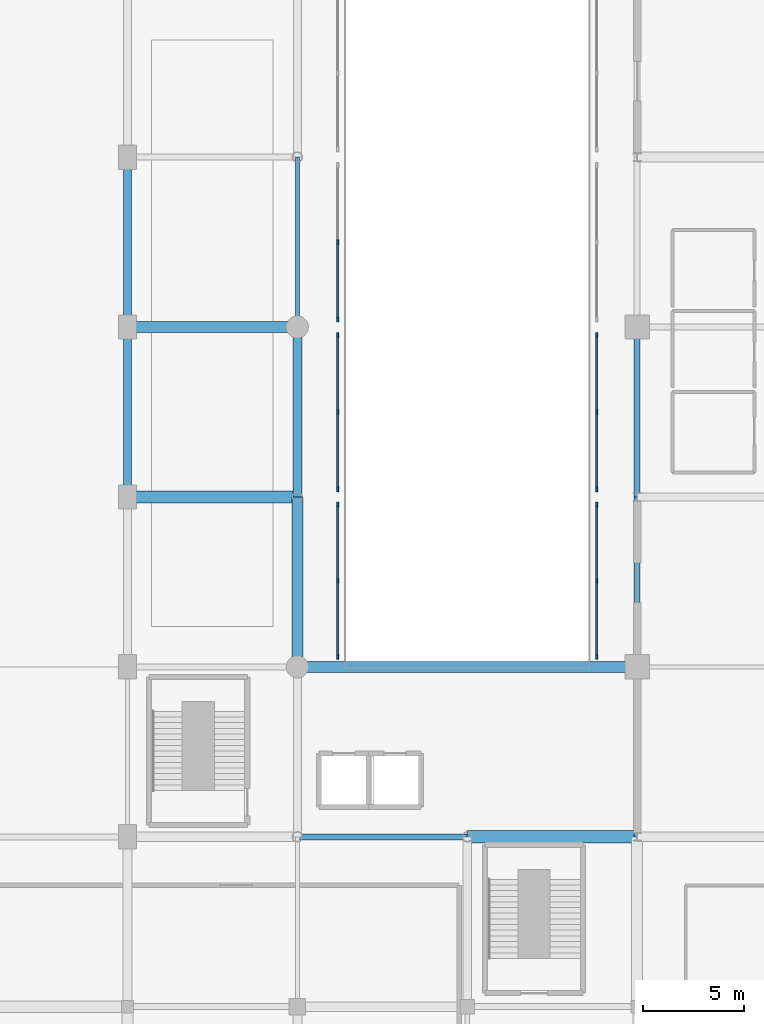
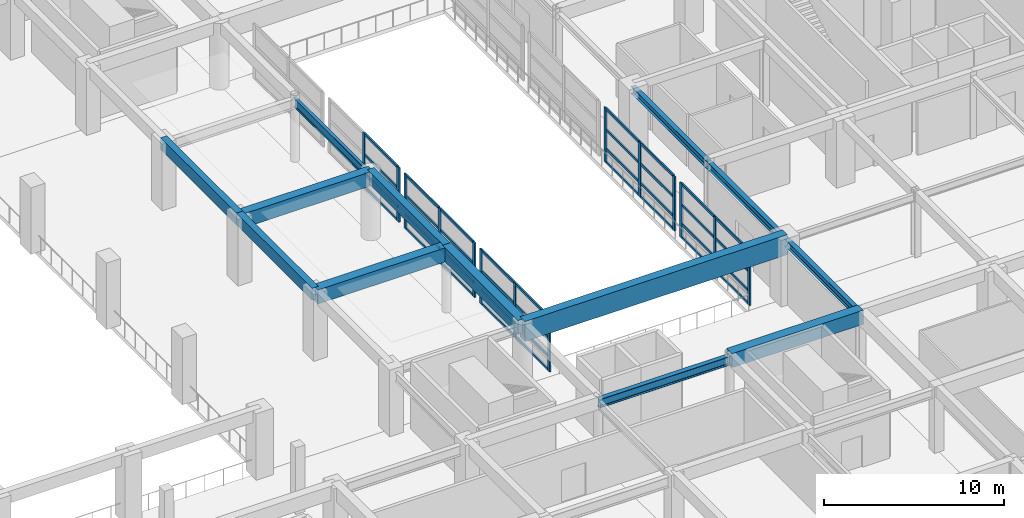
# One storey, part 20 of 65: 50 members, 13 beams, 5 elements without a shape of their own.
"""IFC4 building model written with IfcOpenShell, lengths in metres."""

from ifc_helpers import new_model, si_unit, direction, frame, origin, origin_2d, place, context, subcontext, project, spatial, rectangle, i_section, extrude, material, material_profile, profile_set, type_object, element, aggregate, save


model = new_model("IFC4")

# Units and contexts
model_context = context("Model", 3, precision=1e-05, world=origin(), true_north=direction((0.0, 1.0)))
body_context = subcontext(model_context, "Body", "Model", "MODEL_VIEW")
ifc_project = project(units=[si_unit("LENGTHUNIT", "METRE"), si_unit("AREAUNIT", "SQUARE_METRE"), si_unit("VOLUMEUNIT", "CUBIC_METRE"), si_unit("PLANEANGLEUNIT", "RADIAN"), si_unit("MASSUNIT", "GRAM", prefix="KILO")], contexts=[model_context])

# Site, building, storey
site_placement = place(None, origin())
site = spatial("IfcSite", under=ifc_project, at=site_placement, CompositionType="ELEMENT")
building_placement = place(site_placement, origin())
building = spatial("IfcBuilding", under=site, at=building_placement, Name="Xuanlan Plaza Opera House", CompositionType="ELEMENT")
storey_placement = place(building_placement, frame((0.0, 0.0, 5.39990234375)))
storey = spatial("IfcBuildingStorey", under=building, at=storey_placement, Name="L01", CompositionType="ELEMENT", Elevation=5.39990234375)

# Curtain wall, members
ifc_material_1 = material(Name="Anodised Aluminium 6063-T6 and Low-E Glass", Category="aluminium")
curtain_wall_type = type_object("IfcCurtainWallType", Name="ENV-CW-CW-06", PredefinedType="USERDEFINED", material=ifc_material_1)
curtain_wall_1_placement = place(storey_placement, origin())
curtain_wall_1 = element("IfcCurtainWall", 1, at=curtain_wall_1_placement, inside=storey, type_object=curtain_wall_type, Name="Acoustic Glazed Wall ATR-L01-11", ObjectType="ACOUSTIC GLAZED WALL", PredefinedType="USERDEFINED")
ifc_material_2 = material(Name="Anodised Aluminium 6063-T6", Category="aluminium")
ifc_material_profile_1 = material_profile(ifc_material_2, rectangle(XDim=0.090087890625, YDim=0.25, at=origin_2d()), Name="ALU-M 90x250")
ifc_profile_set_1 = profile_set([ifc_material_profile_1], Name="Anodised Aluminium 6063-T6")
member_type_1 = type_object("IfcMemberType", Name="ENV-CWM-05", PredefinedType="MULLION", material=ifc_profile_set_1)
member_1_placement = place(storey_placement, frame((111.199951171875, 42.4951171875, 0.0), z_axis=(0.0, 0.0, 1.0), x_axis=(-1.0, 0.0, 0.0)))
member_1 = element("IfcMember", 2, at=member_1_placement, type_object=member_type_1, Name="CW-06 mullion 1", PredefinedType="MULLION", context=body_context, shape_type="SweptSolid", body=[
    extrude(rectangle(XDim=0.090087890625, YDim=0.25, at=origin_2d()), origin(), (0.0, 0.0, 1.0), 3.68017578125),
])
member_2_placement = place(storey_placement, frame((111.199951171875, 46.25, 0.0), z_axis=(0.0, 0.0, 1.0), x_axis=(-1.0, 0.0, 0.0)))
member_2 = element("IfcMember", 3, at=member_2_placement, type_object=member_type_1, Name="CW-06 mullion 2", PredefinedType="MULLION", context=body_context, shape_type="SweptSolid", body=[
    extrude(rectangle(XDim=0.090087890625, YDim=0.25, at=origin_2d()), origin(), (0.0, 0.0, 1.0), 3.68017578125),
])
member_3_placement = place(storey_placement, frame((111.199951171875, 50.0048828125, 0.0), z_axis=(0.0, 0.0, 1.0), x_axis=(-1.0, 0.0, 0.0)))
member_3 = element("IfcMember", 4, at=member_3_placement, type_object=member_type_1, Name="CW-06 mullion 3", PredefinedType="MULLION", context=body_context, shape_type="SweptSolid", body=[
    extrude(rectangle(XDim=0.090087890625, YDim=0.25, at=origin_2d()), origin(), (0.0, 0.0, 1.0), 3.68017578125),
])

curtain_wall_2_placement = place(storey_placement, origin())
curtain_wall_2 = element("IfcCurtainWall", 5, at=curtain_wall_2_placement, inside=storey, type_object=curtain_wall_type, Name="Acoustic Glazed Wall ATR-L01-12", ObjectType="ACOUSTIC GLAZED WALL", PredefinedType="USERDEFINED")
member_4_placement = place(storey_placement, frame((111.199951171875, 50.794921875, 0.0), z_axis=(0.0, 0.0, 1.0), x_axis=(-1.0, 0.0, 0.0)))
member_4 = element("IfcMember", 6, at=member_4_placement, type_object=member_type_1, Name="CW-06 mullion 1", PredefinedType="MULLION", context=body_context, shape_type="SweptSolid", body=[
    extrude(rectangle(XDim=0.090087890625, YDim=0.25, at=origin_2d()), origin(), (0.0, 0.0, 1.0), 3.68017578125),
])
member_5_placement = place(storey_placement, frame((111.199951171875, 54.60009765625, 0.0), z_axis=(0.0, 0.0, 1.0), x_axis=(-1.0, 0.0, 0.0)))
member_5 = element("IfcMember", 7, at=member_5_placement, type_object=member_type_1, Name="CW-06 mullion 2", PredefinedType="MULLION", context=body_context, shape_type="SweptSolid", body=[
    extrude(rectangle(XDim=0.090087890625, YDim=0.25, at=origin_2d()), origin(), (0.0, 0.0, 1.0), 3.68017578125),
])
member_6_placement = place(storey_placement, frame((111.199951171875, 58.405029296875, 0.0), z_axis=(0.0, 0.0, 1.0), x_axis=(-1.0, 0.0, 0.0)))
member_6 = element("IfcMember", 8, at=member_6_placement, type_object=member_type_1, Name="CW-06 mullion 3", PredefinedType="MULLION", context=body_context, shape_type="SweptSolid", body=[
    extrude(rectangle(XDim=0.090087890625, YDim=0.25, at=origin_2d()), origin(), (0.0, 0.0, 1.0), 3.68017578125),
])

curtain_wall_3_placement = place(storey_placement, origin())
curtain_wall_3 = element("IfcCurtainWall", 9, at=curtain_wall_3_placement, inside=storey, type_object=curtain_wall_type, Name="Acoustic Glazed Wall ATR-L01-13", ObjectType="ACOUSTIC GLAZED WALL", PredefinedType="USERDEFINED")
member_7_placement = place(storey_placement, frame((111.199951171875, 59.195068359375, 0.0), z_axis=(0.0, 0.0, 1.0), x_axis=(-1.0, 0.0, 0.0)))
member_7 = element("IfcMember", 10, at=member_7_placement, type_object=member_type_1, Name="CW-06 mullion 1", PredefinedType="MULLION", context=body_context, shape_type="SweptSolid", body=[
    extrude(rectangle(XDim=0.090087890625, YDim=0.25, at=origin_2d()), origin(), (0.0, 0.0, 1.0), 3.68017578125),
])
member_8_placement = place(storey_placement, frame((111.199951171875, 63.0, 0.0), z_axis=(0.0, 0.0, 1.0), x_axis=(-1.0, 0.0, 0.0)))
member_8 = element("IfcMember", 11, at=member_8_placement, type_object=member_type_1, Name="CW-06 mullion 2", PredefinedType="MULLION", context=body_context, shape_type="SweptSolid", body=[
    extrude(rectangle(XDim=0.090087890625, YDim=0.25, at=origin_2d()), origin(), (0.0, 0.0, 1.0), 3.68017578125),
])

curtain_wall_4_placement = place(storey_placement, origin())
curtain_wall_4 = element("IfcCurtainWall", 12, at=curtain_wall_4_placement, inside=storey, type_object=curtain_wall_type, Name="Acoustic Glazed Wall ATR-L01-21", ObjectType="ACOUSTIC GLAZED WALL", PredefinedType="USERDEFINED")
member_9_placement = place(storey_placement, frame((124.0, 42.4951171875, 0.0), z_axis=(0.0, 0.0, 1.0), x_axis=(-1.0, 0.0, 0.0)))
member_9 = element("IfcMember", 13, at=member_9_placement, type_object=member_type_1, Name="CW-06 mullion 1", PredefinedType="MULLION", context=body_context, shape_type="SweptSolid", body=[
    extrude(rectangle(XDim=0.090087890625, YDim=0.25, at=origin_2d()), origin(), (0.0, 0.0, 1.0), 3.68017578125),
])
member_10_placement = place(storey_placement, frame((124.0, 46.25, 0.0), z_axis=(0.0, 0.0, 1.0), x_axis=(-1.0, 0.0, 0.0)))
member_10 = element("IfcMember", 14, at=member_10_placement, type_object=member_type_1, Name="CW-06 mullion 2", PredefinedType="MULLION", context=body_context, shape_type="SweptSolid", body=[
    extrude(rectangle(XDim=0.090087890625, YDim=0.25, at=origin_2d()), origin(), (0.0, 0.0, 1.0), 3.68017578125),
])
member_11_placement = place(storey_placement, frame((124.0, 50.0048828125, 0.0), z_axis=(0.0, 0.0, 1.0), x_axis=(-1.0, 0.0, 0.0)))
member_11 = element("IfcMember", 15, at=member_11_placement, type_object=member_type_1, Name="CW-06 mullion 3", PredefinedType="MULLION", context=body_context, shape_type="SweptSolid", body=[
    extrude(rectangle(XDim=0.090087890625, YDim=0.25, at=origin_2d()), origin(), (0.0, 0.0, 1.0), 3.68017578125),
])

curtain_wall_5_placement = place(storey_placement, origin())
curtain_wall_5 = element("IfcCurtainWall", 16, at=curtain_wall_5_placement, inside=storey, type_object=curtain_wall_type, Name="Acoustic Glazed Wall ATR-L01-22", ObjectType="ACOUSTIC GLAZED WALL", PredefinedType="USERDEFINED")
member_12_placement = place(storey_placement, frame((124.0, 50.794921875, 0.0), z_axis=(0.0, 0.0, 1.0), x_axis=(-1.0, 0.0, 0.0)))
member_12 = element("IfcMember", 17, at=member_12_placement, type_object=member_type_1, Name="CW-06 mullion 1", PredefinedType="MULLION", context=body_context, shape_type="SweptSolid", body=[
    extrude(rectangle(XDim=0.090087890625, YDim=0.25, at=origin_2d()), origin(), (0.0, 0.0, 1.0), 3.68017578125),
])
member_13_placement = place(storey_placement, frame((124.0, 54.60009765625, 0.0), z_axis=(0.0, 0.0, 1.0), x_axis=(-1.0, 0.0, 0.0)))
member_13 = element("IfcMember", 18, at=member_13_placement, type_object=member_type_1, Name="CW-06 mullion 2", PredefinedType="MULLION", context=body_context, shape_type="SweptSolid", body=[
    extrude(rectangle(XDim=0.090087890625, YDim=0.25, at=origin_2d()), origin(), (0.0, 0.0, 1.0), 3.68017578125),
])
member_14_placement = place(storey_placement, frame((124.0, 58.405029296875, 0.0), z_axis=(0.0, 0.0, 1.0), x_axis=(-1.0, 0.0, 0.0)))
member_14 = element("IfcMember", 19, at=member_14_placement, type_object=member_type_1, Name="CW-06 mullion 3", PredefinedType="MULLION", context=body_context, shape_type="SweptSolid", body=[
    extrude(rectangle(XDim=0.090087890625, YDim=0.25, at=origin_2d()), origin(), (0.0, 0.0, 1.0), 3.68017578125),
])

# Member
ifc_material_profile_2 = material_profile(ifc_material_2, rectangle(XDim=0.090087890625, YDim=0.179931640625, at=origin_2d()), Name="ALU-T 90x180")
ifc_profile_set_2 = profile_set([ifc_material_profile_2], Name="Anodised Aluminium 6063-T6")
member_type_2 = type_object("IfcMemberType", Name="ENV-CWT-05", PredefinedType="USERDEFINED", material=ifc_profile_set_2)
member_15_placement = place(storey_placement, frame((111.199951171875, 42.5400390625, 0.045166015625), z_axis=(0.0, 1.0, 0.0), x_axis=(-1.0, 0.0, 0.0)))
member_15 = element("IfcMember", 20, at=member_15_placement, type_object=member_type_2, Name="CW-06 transom 1.1", ObjectType="TRANSOM", PredefinedType="USERDEFINED", context=body_context, shape_type="SweptSolid", body=[
    extrude(rectangle(XDim=0.090087890625, YDim=0.179931640625, at=origin_2d()), origin(), (0.0, 0.0, 1.0), 3.6650390625),
])

member_16_placement = place(storey_placement, frame((111.199951171875, 42.5400390625, 0.9501953125), z_axis=(0.0, 1.0, 0.0), x_axis=(-1.0, 0.0, 0.0)))
member_16 = element("IfcMember", 21, at=member_16_placement, type_object=member_type_2, Name="CW-06 transom 1.2", ObjectType="TRANSOM", PredefinedType="USERDEFINED", context=body_context, shape_type="SweptSolid", body=[
    extrude(rectangle(XDim=0.090087890625, YDim=0.179931640625, at=origin_2d()), origin(), (0.0, 0.0, 1.0), 3.6650390625),
])

member_17_placement = place(storey_placement, frame((111.199951171875, 42.5400390625, 2.25), z_axis=(0.0, 1.0, 0.0), x_axis=(-1.0, 0.0, 0.0)))
member_17 = element("IfcMember", 22, at=member_17_placement, type_object=member_type_2, Name="CW-06 transom 1.3", ObjectType="TRANSOM", PredefinedType="USERDEFINED", context=body_context, shape_type="SweptSolid", body=[
    extrude(rectangle(XDim=0.090087890625, YDim=0.179931640625, at=origin_2d()), origin(), (0.0, 0.0, 1.0), 3.6650390625),
])

member_18_placement = place(storey_placement, frame((111.199951171875, 42.5400390625, 3.635009765625), z_axis=(0.0, 1.0, 0.0), x_axis=(-1.0, 0.0, 0.0)))
member_18 = element("IfcMember", 23, at=member_18_placement, type_object=member_type_2, Name="CW-06 transom 1.4", ObjectType="TRANSOM", PredefinedType="USERDEFINED", context=body_context, shape_type="SweptSolid", body=[
    extrude(rectangle(XDim=0.090087890625, YDim=0.179931640625, at=origin_2d()), origin(), (0.0, 0.0, 1.0), 3.6650390625),
])

member_19_placement = place(storey_placement, frame((111.199951171875, 46.294921875, 0.045166015625), z_axis=(0.0, 1.0, 0.0), x_axis=(-1.0, 0.0, 0.0)))
member_19 = element("IfcMember", 24, at=member_19_placement, type_object=member_type_2, Name="CW-06 transom 2.1", ObjectType="TRANSOM", PredefinedType="USERDEFINED", context=body_context, shape_type="SweptSolid", body=[
    extrude(rectangle(XDim=0.090087890625, YDim=0.179931640625, at=origin_2d()), origin(), (0.0, 0.0, 1.0), 3.6650390625),
])

member_20_placement = place(storey_placement, frame((111.199951171875, 46.294921875, 0.9501953125), z_axis=(0.0, 1.0, 0.0), x_axis=(-1.0, 0.0, 0.0)))
member_20 = element("IfcMember", 25, at=member_20_placement, type_object=member_type_2, Name="CW-06 transom 2.2", ObjectType="TRANSOM", PredefinedType="USERDEFINED", context=body_context, shape_type="SweptSolid", body=[
    extrude(rectangle(XDim=0.090087890625, YDim=0.179931640625, at=origin_2d()), origin(), (0.0, 0.0, 1.0), 3.6650390625),
])

member_21_placement = place(storey_placement, frame((111.199951171875, 46.294921875, 2.25), z_axis=(0.0, 1.0, 0.0), x_axis=(-1.0, 0.0, 0.0)))
member_21 = element("IfcMember", 26, at=member_21_placement, type_object=member_type_2, Name="CW-06 transom 2.3", ObjectType="TRANSOM", PredefinedType="USERDEFINED", context=body_context, shape_type="SweptSolid", body=[
    extrude(rectangle(XDim=0.090087890625, YDim=0.179931640625, at=origin_2d()), origin(), (0.0, 0.0, 1.0), 3.6650390625),
])

member_22_placement = place(storey_placement, frame((111.199951171875, 46.294921875, 3.635009765625), z_axis=(0.0, 1.0, 0.0), x_axis=(-1.0, 0.0, 0.0)))
member_22 = element("IfcMember", 27, at=member_22_placement, type_object=member_type_2, Name="CW-06 transom 2.4", ObjectType="TRANSOM", PredefinedType="USERDEFINED", context=body_context, shape_type="SweptSolid", body=[
    extrude(rectangle(XDim=0.090087890625, YDim=0.179931640625, at=origin_2d()), origin(), (0.0, 0.0, 1.0), 3.6650390625),
])

aggregate(curtain_wall_1, [member_1, member_2, member_3, member_15, member_16, member_17, member_18, member_19, member_20, member_21, member_22])

member_23_placement = place(storey_placement, frame((111.199951171875, 50.840087890625, 0.045166015625), z_axis=(0.0, 1.0, 0.0), x_axis=(-1.0, 0.0, 0.0)))
member_23 = element("IfcMember", 28, at=member_23_placement, type_object=member_type_2, Name="CW-06 transom 1.1", ObjectType="TRANSOM", PredefinedType="USERDEFINED", context=body_context, shape_type="SweptSolid", body=[
    extrude(rectangle(XDim=0.090087890625, YDim=0.179931640625, at=origin_2d()), origin(), (0.0, 0.0, 1.0), 3.71484375),
])

member_24_placement = place(storey_placement, frame((111.199951171875, 50.840087890625, 0.9501953125), z_axis=(0.0, 1.0, 0.0), x_axis=(-1.0, 0.0, 0.0)))
member_24 = element("IfcMember", 29, at=member_24_placement, type_object=member_type_2, Name="CW-06 transom 1.2", ObjectType="TRANSOM", PredefinedType="USERDEFINED", context=body_context, shape_type="SweptSolid", body=[
    extrude(rectangle(XDim=0.090087890625, YDim=0.179931640625, at=origin_2d()), origin(), (0.0, 0.0, 1.0), 3.71484375),
])

member_25_placement = place(storey_placement, frame((111.199951171875, 50.840087890625, 2.25), z_axis=(0.0, 1.0, 0.0), x_axis=(-1.0, 0.0, 0.0)))
member_25 = element("IfcMember", 30, at=member_25_placement, type_object=member_type_2, Name="CW-06 transom 1.3", ObjectType="TRANSOM", PredefinedType="USERDEFINED", context=body_context, shape_type="SweptSolid", body=[
    extrude(rectangle(XDim=0.090087890625, YDim=0.179931640625, at=origin_2d()), origin(), (0.0, 0.0, 1.0), 3.71484375),
])

member_26_placement = place(storey_placement, frame((111.199951171875, 50.840087890625, 3.635009765625), z_axis=(0.0, 1.0, 0.0), x_axis=(-1.0, 0.0, 0.0)))
member_26 = element("IfcMember", 31, at=member_26_placement, type_object=member_type_2, Name="CW-06 transom 1.4", ObjectType="TRANSOM", PredefinedType="USERDEFINED", context=body_context, shape_type="SweptSolid", body=[
    extrude(rectangle(XDim=0.090087890625, YDim=0.179931640625, at=origin_2d()), origin(), (0.0, 0.0, 1.0), 3.71484375),
])

member_27_placement = place(storey_placement, frame((111.199951171875, 54.64501953125, 0.045166015625), z_axis=(0.0, 1.0, 0.0), x_axis=(-1.0, 0.0, 0.0)))
member_27 = element("IfcMember", 32, at=member_27_placement, type_object=member_type_2, Name="CW-06 transom 2.1", ObjectType="TRANSOM", PredefinedType="USERDEFINED", context=body_context, shape_type="SweptSolid", body=[
    extrude(rectangle(XDim=0.090087890625, YDim=0.179931640625, at=origin_2d()), origin(), (0.0, 0.0, 1.0), 3.715087890625),
])

member_28_placement = place(storey_placement, frame((111.199951171875, 54.64501953125, 0.9501953125), z_axis=(0.0, 1.0, 0.0), x_axis=(-1.0, 0.0, 0.0)))
member_28 = element("IfcMember", 33, at=member_28_placement, type_object=member_type_2, Name="CW-06 transom 2.2", ObjectType="TRANSOM", PredefinedType="USERDEFINED", context=body_context, shape_type="SweptSolid", body=[
    extrude(rectangle(XDim=0.090087890625, YDim=0.179931640625, at=origin_2d()), origin(), (0.0, 0.0, 1.0), 3.715087890625),
])

member_29_placement = place(storey_placement, frame((111.199951171875, 54.64501953125, 2.25), z_axis=(0.0, 1.0, 0.0), x_axis=(-1.0, 0.0, 0.0)))
member_29 = element("IfcMember", 34, at=member_29_placement, type_object=member_type_2, Name="CW-06 transom 2.3", ObjectType="TRANSOM", PredefinedType="USERDEFINED", context=body_context, shape_type="SweptSolid", body=[
    extrude(rectangle(XDim=0.090087890625, YDim=0.179931640625, at=origin_2d()), origin(), (0.0, 0.0, 1.0), 3.715087890625),
])

member_30_placement = place(storey_placement, frame((111.199951171875, 54.64501953125, 3.635009765625), z_axis=(0.0, 1.0, 0.0), x_axis=(-1.0, 0.0, 0.0)))
member_30 = element("IfcMember", 35, at=member_30_placement, type_object=member_type_2, Name="CW-06 transom 2.4", ObjectType="TRANSOM", PredefinedType="USERDEFINED", context=body_context, shape_type="SweptSolid", body=[
    extrude(rectangle(XDim=0.090087890625, YDim=0.179931640625, at=origin_2d()), origin(), (0.0, 0.0, 1.0), 3.715087890625),
])

aggregate(curtain_wall_2, [member_4, member_5, member_6, member_23, member_24, member_25, member_26, member_27, member_28, member_29, member_30])

member_31_placement = place(storey_placement, frame((111.199951171875, 59.239990234375, 0.045166015625), z_axis=(0.0, 1.0, 0.0), x_axis=(-1.0, 0.0, 0.0)))
member_31 = element("IfcMember", 36, at=member_31_placement, type_object=member_type_2, Name="CW-06 transom 1.1", ObjectType="TRANSOM", PredefinedType="USERDEFINED", context=body_context, shape_type="SweptSolid", body=[
    extrude(rectangle(XDim=0.090087890625, YDim=0.179931640625, at=origin_2d()), origin(), (0.0, 0.0, 1.0), 3.715087890625),
])

member_32_placement = place(storey_placement, frame((111.199951171875, 59.239990234375, 0.9501953125), z_axis=(0.0, 1.0, 0.0), x_axis=(-1.0, 0.0, 0.0)))
member_32 = element("IfcMember", 37, at=member_32_placement, type_object=member_type_2, Name="CW-06 transom 1.2", ObjectType="TRANSOM", PredefinedType="USERDEFINED", context=body_context, shape_type="SweptSolid", body=[
    extrude(rectangle(XDim=0.090087890625, YDim=0.179931640625, at=origin_2d()), origin(), (0.0, 0.0, 1.0), 3.715087890625),
])

member_33_placement = place(storey_placement, frame((111.199951171875, 59.239990234375, 2.25), z_axis=(0.0, 1.0, 0.0), x_axis=(-1.0, 0.0, 0.0)))
member_33 = element("IfcMember", 38, at=member_33_placement, type_object=member_type_2, Name="CW-06 transom 1.3", ObjectType="TRANSOM", PredefinedType="USERDEFINED", context=body_context, shape_type="SweptSolid", body=[
    extrude(rectangle(XDim=0.090087890625, YDim=0.179931640625, at=origin_2d()), origin(), (0.0, 0.0, 1.0), 3.715087890625),
])

member_34_placement = place(storey_placement, frame((111.199951171875, 59.239990234375, 3.635009765625), z_axis=(0.0, 1.0, 0.0), x_axis=(-1.0, 0.0, 0.0)))
member_34 = element("IfcMember", 39, at=member_34_placement, type_object=member_type_2, Name="CW-06 transom 1.4", ObjectType="TRANSOM", PredefinedType="USERDEFINED", context=body_context, shape_type="SweptSolid", body=[
    extrude(rectangle(XDim=0.090087890625, YDim=0.179931640625, at=origin_2d()), origin(), (0.0, 0.0, 1.0), 3.715087890625),
])

aggregate(curtain_wall_3, [member_7, member_8, member_31, member_32, member_33, member_34])

member_35_placement = place(storey_placement, frame((124.0, 42.5400390625, 0.045166015625), z_axis=(0.0, 1.0, 0.0), x_axis=(-1.0, 0.0, 0.0)))
member_35 = element("IfcMember", 40, at=member_35_placement, type_object=member_type_2, Name="CW-06 transom 1.1", ObjectType="TRANSOM", PredefinedType="USERDEFINED", context=body_context, shape_type="SweptSolid", body=[
    extrude(rectangle(XDim=0.090087890625, YDim=0.179931640625, at=origin_2d()), origin(), (0.0, 0.0, 1.0), 3.6650390625),
])

member_36_placement = place(storey_placement, frame((124.0, 42.5400390625, 0.9501953125), z_axis=(0.0, 1.0, 0.0), x_axis=(-1.0, 0.0, 0.0)))
member_36 = element("IfcMember", 41, at=member_36_placement, type_object=member_type_2, Name="CW-06 transom 1.2", ObjectType="TRANSOM", PredefinedType="USERDEFINED", context=body_context, shape_type="SweptSolid", body=[
    extrude(rectangle(XDim=0.090087890625, YDim=0.179931640625, at=origin_2d()), origin(), (0.0, 0.0, 1.0), 3.6650390625),
])

member_37_placement = place(storey_placement, frame((124.0, 42.5400390625, 2.25), z_axis=(0.0, 1.0, 0.0), x_axis=(-1.0, 0.0, 0.0)))
member_37 = element("IfcMember", 42, at=member_37_placement, type_object=member_type_2, Name="CW-06 transom 1.3", ObjectType="TRANSOM", PredefinedType="USERDEFINED", context=body_context, shape_type="SweptSolid", body=[
    extrude(rectangle(XDim=0.090087890625, YDim=0.179931640625, at=origin_2d()), origin(), (0.0, 0.0, 1.0), 3.6650390625),
])

member_38_placement = place(storey_placement, frame((124.0, 42.5400390625, 3.635009765625), z_axis=(0.0, 1.0, 0.0), x_axis=(-1.0, 0.0, 0.0)))
member_38 = element("IfcMember", 43, at=member_38_placement, type_object=member_type_2, Name="CW-06 transom 1.4", ObjectType="TRANSOM", PredefinedType="USERDEFINED", context=body_context, shape_type="SweptSolid", body=[
    extrude(rectangle(XDim=0.090087890625, YDim=0.179931640625, at=origin_2d()), origin(), (0.0, 0.0, 1.0), 3.6650390625),
])

member_39_placement = place(storey_placement, frame((124.0, 46.294921875, 0.045166015625), z_axis=(0.0, 1.0, 0.0), x_axis=(-1.0, 0.0, 0.0)))
member_39 = element("IfcMember", 44, at=member_39_placement, type_object=member_type_2, Name="CW-06 transom 2.1", ObjectType="TRANSOM", PredefinedType="USERDEFINED", context=body_context, shape_type="SweptSolid", body=[
    extrude(rectangle(XDim=0.090087890625, YDim=0.179931640625, at=origin_2d()), origin(), (0.0, 0.0, 1.0), 3.6650390625),
])

member_40_placement = place(storey_placement, frame((124.0, 46.294921875, 0.9501953125), z_axis=(0.0, 1.0, 0.0), x_axis=(-1.0, 0.0, 0.0)))
member_40 = element("IfcMember", 45, at=member_40_placement, type_object=member_type_2, Name="CW-06 transom 2.2", ObjectType="TRANSOM", PredefinedType="USERDEFINED", context=body_context, shape_type="SweptSolid", body=[
    extrude(rectangle(XDim=0.090087890625, YDim=0.179931640625, at=origin_2d()), origin(), (0.0, 0.0, 1.0), 3.6650390625),
])

member_41_placement = place(storey_placement, frame((124.0, 46.294921875, 2.25), z_axis=(0.0, 1.0, 0.0), x_axis=(-1.0, 0.0, 0.0)))
member_41 = element("IfcMember", 46, at=member_41_placement, type_object=member_type_2, Name="CW-06 transom 2.3", ObjectType="TRANSOM", PredefinedType="USERDEFINED", context=body_context, shape_type="SweptSolid", body=[
    extrude(rectangle(XDim=0.090087890625, YDim=0.179931640625, at=origin_2d()), origin(), (0.0, 0.0, 1.0), 3.6650390625),
])

member_42_placement = place(storey_placement, frame((124.0, 46.294921875, 3.635009765625), z_axis=(0.0, 1.0, 0.0), x_axis=(-1.0, 0.0, 0.0)))
member_42 = element("IfcMember", 47, at=member_42_placement, type_object=member_type_2, Name="CW-06 transom 2.4", ObjectType="TRANSOM", PredefinedType="USERDEFINED", context=body_context, shape_type="SweptSolid", body=[
    extrude(rectangle(XDim=0.090087890625, YDim=0.179931640625, at=origin_2d()), origin(), (0.0, 0.0, 1.0), 3.6650390625),
])

aggregate(curtain_wall_4, [member_9, member_10, member_11, member_35, member_36, member_37, member_38, member_39, member_40, member_41, member_42])

member_43_placement = place(storey_placement, frame((124.0, 50.840087890625, 0.045166015625), z_axis=(0.0, 1.0, 0.0), x_axis=(-1.0, 0.0, 0.0)))
member_43 = element("IfcMember", 48, at=member_43_placement, type_object=member_type_2, Name="CW-06 transom 1.1", ObjectType="TRANSOM", PredefinedType="USERDEFINED", context=body_context, shape_type="SweptSolid", body=[
    extrude(rectangle(XDim=0.090087890625, YDim=0.179931640625, at=origin_2d()), origin(), (0.0, 0.0, 1.0), 3.71484375),
])

member_44_placement = place(storey_placement, frame((124.0, 50.840087890625, 0.9501953125), z_axis=(0.0, 1.0, 0.0), x_axis=(-1.0, 0.0, 0.0)))
member_44 = element("IfcMember", 49, at=member_44_placement, type_object=member_type_2, Name="CW-06 transom 1.2", ObjectType="TRANSOM", PredefinedType="USERDEFINED", context=body_context, shape_type="SweptSolid", body=[
    extrude(rectangle(XDim=0.090087890625, YDim=0.179931640625, at=origin_2d()), origin(), (0.0, 0.0, 1.0), 3.71484375),
])

member_45_placement = place(storey_placement, frame((124.0, 50.840087890625, 2.25), z_axis=(0.0, 1.0, 0.0), x_axis=(-1.0, 0.0, 0.0)))
member_45 = element("IfcMember", 50, at=member_45_placement, type_object=member_type_2, Name="CW-06 transom 1.3", ObjectType="TRANSOM", PredefinedType="USERDEFINED", context=body_context, shape_type="SweptSolid", body=[
    extrude(rectangle(XDim=0.090087890625, YDim=0.179931640625, at=origin_2d()), origin(), (0.0, 0.0, 1.0), 3.71484375),
])

member_46_placement = place(storey_placement, frame((124.0, 50.840087890625, 3.635009765625), z_axis=(0.0, 1.0, 0.0), x_axis=(-1.0, 0.0, 0.0)))
member_46 = element("IfcMember", 51, at=member_46_placement, type_object=member_type_2, Name="CW-06 transom 1.4", ObjectType="TRANSOM", PredefinedType="USERDEFINED", context=body_context, shape_type="SweptSolid", body=[
    extrude(rectangle(XDim=0.090087890625, YDim=0.179931640625, at=origin_2d()), origin(), (0.0, 0.0, 1.0), 3.71484375),
])

member_47_placement = place(storey_placement, frame((124.0, 54.64501953125, 0.045166015625), z_axis=(0.0, 1.0, 0.0), x_axis=(-1.0, 0.0, 0.0)))
member_47 = element("IfcMember", 52, at=member_47_placement, type_object=member_type_2, Name="CW-06 transom 2.1", ObjectType="TRANSOM", PredefinedType="USERDEFINED", context=body_context, shape_type="SweptSolid", body=[
    extrude(rectangle(XDim=0.090087890625, YDim=0.179931640625, at=origin_2d()), origin(), (0.0, 0.0, 1.0), 3.715087890625),
])

member_48_placement = place(storey_placement, frame((124.0, 54.64501953125, 0.9501953125), z_axis=(0.0, 1.0, 0.0), x_axis=(-1.0, 0.0, 0.0)))
member_48 = element("IfcMember", 53, at=member_48_placement, type_object=member_type_2, Name="CW-06 transom 2.2", ObjectType="TRANSOM", PredefinedType="USERDEFINED", context=body_context, shape_type="SweptSolid", body=[
    extrude(rectangle(XDim=0.090087890625, YDim=0.179931640625, at=origin_2d()), origin(), (0.0, 0.0, 1.0), 3.715087890625),
])

member_49_placement = place(storey_placement, frame((124.0, 54.64501953125, 2.25), z_axis=(0.0, 1.0, 0.0), x_axis=(-1.0, 0.0, 0.0)))
member_49 = element("IfcMember", 54, at=member_49_placement, type_object=member_type_2, Name="CW-06 transom 2.3", ObjectType="TRANSOM", PredefinedType="USERDEFINED", context=body_context, shape_type="SweptSolid", body=[
    extrude(rectangle(XDim=0.090087890625, YDim=0.179931640625, at=origin_2d()), origin(), (0.0, 0.0, 1.0), 3.715087890625),
])

member_50_placement = place(storey_placement, frame((124.0, 54.64501953125, 3.635009765625), z_axis=(0.0, 1.0, 0.0), x_axis=(-1.0, 0.0, 0.0)))
member_50 = element("IfcMember", 55, at=member_50_placement, type_object=member_type_2, Name="CW-06 transom 2.4", ObjectType="TRANSOM", PredefinedType="USERDEFINED", context=body_context, shape_type="SweptSolid", body=[
    extrude(rectangle(XDim=0.090087890625, YDim=0.179931640625, at=origin_2d()), origin(), (0.0, 0.0, 1.0), 3.715087890625),
])

aggregate(curtain_wall_5, [member_12, member_13, member_14, member_43, member_44, member_45, member_46, member_47, member_48, member_49, member_50])

# Beams
ifc_material_3 = material(Name="Concrete C50", Category="concrete")
ifc_material_profile_3 = material_profile(ifc_material_3, rectangle(XDim=0.60009765625, YDim=0.949951171875, at=origin_2d()), Name="RC-BM 600x950")
ifc_profile_set_3 = profile_set([ifc_material_profile_3], Name="Concrete C50")
beam_type_1 = type_object("IfcBeamType", Name="STR-BM-B-01", PredefinedType="BEAM", material=ifc_profile_set_3)
for number, where, z_axis, x_axis, name in (
    (56, (117.60009765625, 33.60009765625, 4.025146484375), (1.0, 0.0, 0.0), (0.0, 1.0, 0.0), "Grid Beam X L01 15-16/E"),
    (57, (100.800048828125, 50.39990234375, 4.025146484375), (1.0, 0.0, 0.0), (0.0, 1.0, 0.0), "Grid Beam X L01 13-14/G"),
):
    element("IfcBeam", number, at=place(storey_placement, frame(where, z_axis=z_axis, x_axis=x_axis)), inside=storey, type_object=beam_type_1, Name=name, PredefinedType="BEAM", context=body_context, shape_type="SweptSolid", body=[
        extrude(rectangle(XDim=0.60009765625, YDim=0.949951171875, at=origin_2d()), origin(), (0.0, 0.0, 1.0), 8.39990234375),
    ])
ifc_material_profile_4 = material_profile(ifc_material_3, rectangle(XDim=0.550048828125, YDim=0.949951171875, at=origin_2d()), Name="RC-BM 550x950")
ifc_profile_set_4 = profile_set([ifc_material_profile_4], Name="Concrete C50")
beam_type_2 = type_object("IfcBeamType", Name="STR-BM-B-02", PredefinedType="BEAM", material=ifc_profile_set_4)
for number, where, z_axis, x_axis, name in (
    (58, (100.800048828125, 58.800048828125, 4.025146484375), (1.0, 0.0, 0.0), (0.0, 1.0, 0.0), "Grid Beam X L01 13-14/H"),
    (59, (109.199951171875, 42.0, 4.025146484375), (0.0, 1.0, 0.0), (-1.0, 0.0, 0.0), "Grid Beam Y L01 14/F-G"),
):
    element("IfcBeam", number, at=place(storey_placement, frame(where, z_axis=z_axis, x_axis=x_axis)), inside=storey, type_object=beam_type_2, Name=name, PredefinedType="BEAM", context=body_context, shape_type="SweptSolid", body=[
        extrude(rectangle(XDim=0.550048828125, YDim=0.949951171875, at=origin_2d()), origin(), (0.0, 0.0, 1.0), 8.39990234375),
    ])
ifc_material_4 = material(Name="Concrete C40", Category="concrete")
ifc_material_profile_5 = material_profile(ifc_material_4, rectangle(XDim=0.449951171875, YDim=0.85009765625, at=origin_2d()), Name="RC-BM 450x850")
ifc_profile_set_5 = profile_set([ifc_material_profile_5], Name="Concrete C40")
beam_type_3 = type_object("IfcBeamType", Name="STR-BM-B-04", PredefinedType="BEAM", material=ifc_profile_set_5)
beam_1_placement = place(storey_placement, frame((109.199951171875, 50.39990234375, 4.0751953125), z_axis=(0.0, 1.0, 0.0), x_axis=(-1.0, 0.0, 0.0)))
element("IfcBeam", 60, at=beam_1_placement, inside=storey, type_object=beam_type_3, Name="Grid Beam Y L01 14/G-H", PredefinedType="BEAM", context=body_context, shape_type="SweptSolid", body=[
    extrude(rectangle(XDim=0.449951171875, YDim=0.85009765625, at=origin_2d()), origin(), (0.0, 0.0, 1.0), 8.400146484375),
])
ifc_material_profile_6 = material_profile(ifc_material_3, rectangle(XDim=0.550048828125, YDim=1.35009765625, at=origin_2d()), Name="RC-SPD 550x1350")
ifc_profile_set_6 = profile_set([ifc_material_profile_6], Name="Concrete C50")
beam_type_4 = type_object("IfcBeamType", Name="STR-BM-LG-SP1", PredefinedType="SPANDREL", material=ifc_profile_set_6)
beam_2_placement = place(storey_placement, frame((109.199951171875, 42.0, 3.8251953125), z_axis=(1.0, 0.0, 0.0), x_axis=(0.0, 1.0, 0.0)))
element("IfcBeam", 61, at=beam_2_placement, inside=storey, type_object=beam_type_4, Name="Grid Beam X L01 14-16/F", PredefinedType="SPANDREL", context=body_context, shape_type="SweptSolid", body=[
    extrude(rectangle(XDim=0.550048828125, YDim=1.35009765625, at=origin_2d()), origin(), (0.0, 0.0, 1.0), 16.800048828125),
])
ifc_material_5 = material(Name="Steel Q355B", Category="steel")
ifc_material_profile_7 = material_profile(ifc_material_5, i_section(OverallWidth=0.199951171875, OverallDepth=0.60009765625, WebThickness=0.010986328125, FlangeThickness=0.01708984375, FilletRadius=0.02197265625, at=origin_2d()), Name="HN 600x200x11x17")
ifc_profile_set_7 = profile_set([ifc_material_profile_7], Name="Steel Q355B")
beam_type_5 = type_object("IfcBeamType", Name="STR-BM-SB-04", PredefinedType="BEAM", material=ifc_profile_set_7)
beam_3_placement = place(storey_placement, frame((109.199951171875, 58.800048828125, 3.93505859375), z_axis=(0.0, 1.0, 0.0), x_axis=(-1.0, 0.0, 0.0)))
element("IfcBeam", 62, at=beam_3_placement, inside=storey, type_object=beam_type_5, Name="Grid Beam Y L01 14/H-I", PredefinedType="BEAM", context=body_context, shape_type="SweptSolid", body=[
    extrude(i_section(OverallWidth=0.199951171875, OverallDepth=0.60009765625, WebThickness=0.010986328125, FlangeThickness=0.01708984375, FilletRadius=0.02197265625, at=origin_2d()), origin(), (0.0, 0.0, 1.0), 8.39990234375),
])
ifc_material_profile_8 = material_profile(ifc_material_5, i_section(OverallWidth=0.300048828125, OverallDepth=0.587890625, WebThickness=0.011962890625, FlangeThickness=0.02001953125, FilletRadius=0.02392578125, at=origin_2d()), Name="HM 588x300x12x20")
ifc_profile_set_8 = profile_set([ifc_material_profile_8], Name="Steel Q355B")
beam_type_6 = type_object("IfcBeamType", Name="STR-BM-SB-06", PredefinedType="BEAM", material=ifc_profile_set_8)
beam_4_placement = place(storey_placement, frame((109.199951171875, 33.60009765625, 3.941162109375), z_axis=(1.0, 0.0, 0.0), x_axis=(0.0, 1.0, 0.0)))
element("IfcBeam", 63, at=beam_4_placement, inside=storey, type_object=beam_type_6, Name="Grid Beam X L01 14-15/E", PredefinedType="BEAM", context=body_context, shape_type="SweptSolid", body=[
    extrude(i_section(OverallWidth=0.300048828125, OverallDepth=0.587890625, WebThickness=0.011962890625, FlangeThickness=0.02001953125, FilletRadius=0.02392578125, at=origin_2d()), origin(), (0.0, 0.0, 1.0), 8.400146484375),
])
ifc_material_profile_9 = material_profile(ifc_material_5, i_section(OverallWidth=0.300048828125, OverallDepth=0.488037109375, WebThickness=0.010986328125, FlangeThickness=0.01806640625, FilletRadius=0.02197265625, at=origin_2d()), Name="HM 488x300x11x18")
ifc_profile_set_9 = profile_set([ifc_material_profile_9], Name="Steel Q355B")
beam_type_7 = type_object("IfcBeamType", Name="STR-BM-SB-07", PredefinedType="BEAM", material=ifc_profile_set_9)
for number, where, z_axis, x_axis, name in (
    (64, (126.0, 33.60009765625, 3.9912109375), (0.0, 1.0, 0.0), (-1.0, 0.0, 0.0), "Grid Beam Y L01 16/E-F"),
    (65, (126.0, 42.0, 3.9912109375), (0.0, 1.0, 0.0), (-1.0, 0.0, 0.0), "Grid Beam Y L01 16/F-G"),
):
    element("IfcBeam", number, at=place(storey_placement, frame(where, z_axis=z_axis, x_axis=x_axis)), inside=storey, type_object=beam_type_7, Name=name, PredefinedType="BEAM", context=body_context, shape_type="SweptSolid", body=[
        extrude(i_section(OverallWidth=0.300048828125, OverallDepth=0.488037109375, WebThickness=0.010986328125, FlangeThickness=0.01806640625, FilletRadius=0.02197265625, at=origin_2d()), origin(), (0.0, 0.0, 1.0), 8.39990234375),
    ])
beam_5_placement = place(storey_placement, frame((126.0, 50.39990234375, 3.9912109375), z_axis=(0.0, 1.0, 0.0), x_axis=(-1.0, 0.0, 0.0)))
element("IfcBeam", 66, at=beam_5_placement, inside=storey, type_object=beam_type_7, Name="Grid Beam Y L01 16/G-H", PredefinedType="BEAM", context=body_context, shape_type="SweptSolid", body=[
    extrude(i_section(OverallWidth=0.300048828125, OverallDepth=0.488037109375, WebThickness=0.010986328125, FlangeThickness=0.01806640625, FilletRadius=0.02197265625, at=origin_2d()), origin(), (0.0, 0.0, 1.0), 8.400146484375),
])
ifc_material_profile_10 = material_profile(ifc_material_4, rectangle(XDim=0.39990234375, YDim=0.800048828125, at=origin_2d()), Name="RC-SPD 400x800")
ifc_profile_set_10 = profile_set([ifc_material_profile_10], Name="Concrete C40")
beam_type_8 = type_object("IfcBeamType", Name="STR-BM-SP-01", PredefinedType="SPANDREL", material=ifc_profile_set_10)
beam_6_placement = place(storey_placement, frame((100.800048828125, 50.39990234375, 4.10009765625), z_axis=(0.0, 1.0, 0.0), x_axis=(-1.0, 0.0, 0.0)))
element("IfcBeam", 67, at=beam_6_placement, inside=storey, type_object=beam_type_8, Name="Grid Beam Y L01 13/G-H", PredefinedType="SPANDREL", context=body_context, shape_type="SweptSolid", body=[
    extrude(rectangle(XDim=0.39990234375, YDim=0.800048828125, at=origin_2d()), origin(), (0.0, 0.0, 1.0), 8.400146484375),
])
beam_7_placement = place(storey_placement, frame((100.800048828125, 58.800048828125, 4.10009765625), z_axis=(0.0, 1.0, 0.0), x_axis=(-1.0, 0.0, 0.0)))
element("IfcBeam", 68, at=beam_7_placement, inside=storey, type_object=beam_type_8, Name="Grid Beam Y L01 13/H-I", PredefinedType="SPANDREL", context=body_context, shape_type="SweptSolid", body=[
    extrude(rectangle(XDim=0.39990234375, YDim=0.800048828125, at=origin_2d()), origin(), (0.0, 0.0, 1.0), 8.39990234375),
])

save(model, "model.ifc")
